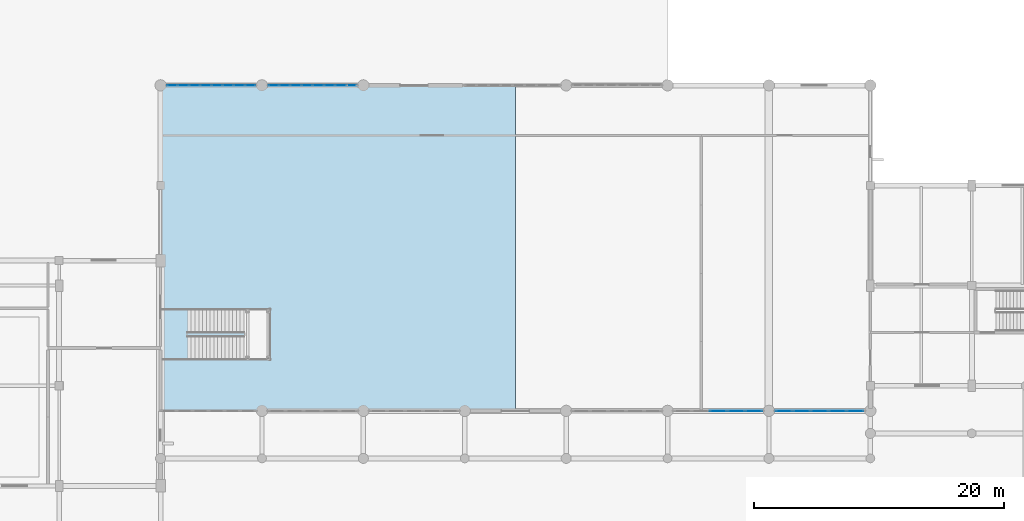
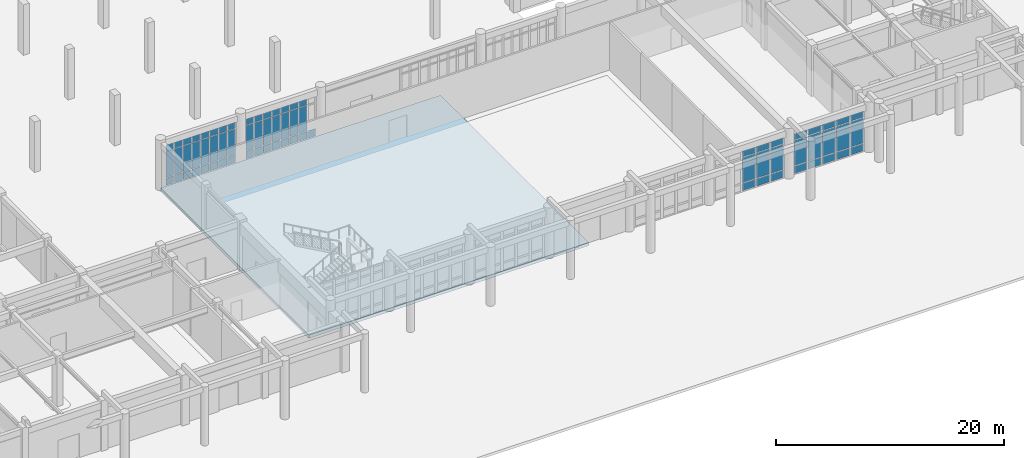
# One storey, part 32 of 62: 70 plates, 1 slab, 4 elements without a shape of their own.
"""IFC4 building model written with IfcOpenShell, lengths in metres."""

from ifc_helpers import new_model, si_unit, direction, frame, origin, origin_2d, place, context, subcontext, project, spatial, polyline, rectangle, outline, extrude, material, layer, layer_set, type_object, element, aggregate, save


model = new_model("IFC4")

# Units and contexts
model_context = context("Model", 3, precision=1e-05, world=origin(), true_north=direction((0.0, 1.0)))
body_context = subcontext(model_context, "Body", "Model", "MODEL_VIEW")
ifc_project = project(units=[si_unit("LENGTHUNIT", "METRE"), si_unit("AREAUNIT", "SQUARE_METRE"), si_unit("VOLUMEUNIT", "CUBIC_METRE"), si_unit("PLANEANGLEUNIT", "RADIAN"), si_unit("MASSUNIT", "GRAM", prefix="KILO")], contexts=[model_context])

# Site, building, storey
site_placement = place(None, origin())
site = spatial("IfcSite", under=ifc_project, at=site_placement, CompositionType="ELEMENT")
building_placement = place(site_placement, origin())
building = spatial("IfcBuilding", under=site, at=building_placement, Name="Tarnveldt Square Police Headquarters", CompositionType="ELEMENT")
storey_placement = place(building_placement, origin())
storey = spatial("IfcBuildingStorey", under=building, at=storey_placement, Name="L00", CompositionType="ELEMENT", Elevation=0.0)

# Curtain wall, plates
ifc_material_1 = material(Name="Triple-glazed low-e laminated vision glass", Category="glass")
curtain_wall_type_1 = type_object("IfcCurtainWallType", Name="CW-EH-717x441", PredefinedType="USERDEFINED", material=ifc_material_1)
curtain_wall_1_placement = place(storey_placement, origin())
curtain_wall_1 = element("IfcCurtainWall", 1, at=curtain_wall_1_placement, inside=storey, type_object=curtain_wall_type_1, Name="L00 Curtain Wall CW-L00-005", ObjectType="GLAZED CURTAIN WALL", PredefinedType="USERDEFINED")
ifc_material_2 = material(Name="UL 752 Level III laminated ballistic vision glass", Category="glass")
ifc_layer_1 = layer(ifc_material_2, 0.0380859375)
ifc_layer_set_1 = layer_set([ifc_layer_1], Name="UL 752 Level III laminated ballistic vision glass")
plate_type_1 = type_object("IfcPlateType", Name="CWP-BAL-38", PredefinedType="CURTAIN_PANEL", material=ifc_layer_set_1)
plate_1_placement = place(storey_placement, frame((109.35009765625, 22.0, 0.0849609375), z_axis=(0.0, 0.0, 1.0), x_axis=(1.0, 0.0, 0.0)))
plate_1 = element("IfcPlate", 2, at=plate_1_placement, type_object=plate_type_1, Name="CW-EH03 panel 3.1", PredefinedType="CURTAIN_PANEL", context=body_context, shape_type="SweptSolid", body=[
    extrude(rectangle(XDim=1.343994140625, YDim=0.0380859375, at=origin_2d()), origin(), (0.0, 0.0, 1.0), 0.7724609375),
])
plate_2_placement = place(storey_placement, frame((109.35009765625, 22.0, 0.9423828125), z_axis=(0.0, 0.0, 1.0), x_axis=(1.0, 0.0, 0.0)))
plate_2 = element("IfcPlate", 3, at=plate_2_placement, type_object=plate_type_1, Name="CW-EH03 panel 3.2", PredefinedType="CURTAIN_PANEL", context=body_context, shape_type="SweptSolid", body=[
    extrude(rectangle(XDim=1.343994140625, YDim=0.0380859375, at=origin_2d()), origin(), (0.0, 0.0, 1.0), 2.677001953125),
])
plate_3_placement = place(storey_placement, frame((109.35009765625, 22.0, 3.70458984375), z_axis=(0.0, 0.0, 1.0), x_axis=(1.0, 0.0, 0.0)))
plate_3 = element("IfcPlate", 4, at=plate_3_placement, type_object=plate_type_1, Name="CW-EH03 panel 3.3", PredefinedType="CURTAIN_PANEL", context=body_context, shape_type="SweptSolid", body=[
    extrude(rectangle(XDim=1.343994140625, YDim=0.0380859375, at=origin_2d()), origin(), (0.0, 0.0, 1.0), 0.62255859375),
])
plate_4_placement = place(storey_placement, frame((110.783935546875, 22.0, 0.0849609375), z_axis=(0.0, 0.0, 1.0), x_axis=(1.0, 0.0, 0.0)))
plate_4 = element("IfcPlate", 5, at=plate_4_placement, type_object=plate_type_1, Name="CW-EH03 panel 4.1", PredefinedType="CURTAIN_PANEL", context=body_context, shape_type="SweptSolid", body=[
    extrude(rectangle(XDim=1.343994140625, YDim=0.0380859375, at=origin_2d()), origin(), (0.0, 0.0, 1.0), 0.7724609375),
])
plate_5_placement = place(storey_placement, frame((110.783935546875, 22.0, 0.9423828125), z_axis=(0.0, 0.0, 1.0), x_axis=(1.0, 0.0, 0.0)))
plate_5 = element("IfcPlate", 6, at=plate_5_placement, type_object=plate_type_1, Name="CW-EH03 panel 4.2", PredefinedType="CURTAIN_PANEL", context=body_context, shape_type="SweptSolid", body=[
    extrude(rectangle(XDim=1.343994140625, YDim=0.0380859375, at=origin_2d()), origin(), (0.0, 0.0, 1.0), 2.677001953125),
])
plate_6_placement = place(storey_placement, frame((110.783935546875, 22.0, 3.70458984375), z_axis=(0.0, 0.0, 1.0), x_axis=(1.0, 0.0, 0.0)))
plate_6 = element("IfcPlate", 7, at=plate_6_placement, type_object=plate_type_1, Name="CW-EH03 panel 4.3", PredefinedType="CURTAIN_PANEL", context=body_context, shape_type="SweptSolid", body=[
    extrude(rectangle(XDim=1.343994140625, YDim=0.0380859375, at=origin_2d()), origin(), (0.0, 0.0, 1.0), 0.62255859375),
])
plate_7_placement = place(storey_placement, frame((112.195556640625, 22.0, 0.0849609375), z_axis=(0.0, 0.0, 1.0), x_axis=(1.0, 0.0, 0.0)))
plate_7 = element("IfcPlate", 8, at=plate_7_placement, type_object=plate_type_1, Name="CW-EH03 panel 5.1", PredefinedType="CURTAIN_PANEL", context=body_context, shape_type="SweptSolid", body=[
    extrude(rectangle(XDim=1.299072265625, YDim=0.0380859375, at=origin_2d()), origin(), (0.0, 0.0, 1.0), 0.7724609375),
])
plate_8_placement = place(storey_placement, frame((112.195556640625, 22.0, 0.9423828125), z_axis=(0.0, 0.0, 1.0), x_axis=(1.0, 0.0, 0.0)))
plate_8 = element("IfcPlate", 9, at=plate_8_placement, type_object=plate_type_1, Name="CW-EH03 panel 5.2", PredefinedType="CURTAIN_PANEL", context=body_context, shape_type="SweptSolid", body=[
    extrude(rectangle(XDim=1.299072265625, YDim=0.0380859375, at=origin_2d()), origin(), (0.0, 0.0, 1.0), 2.677001953125),
])
plate_9_placement = place(storey_placement, frame((112.195556640625, 22.0, 3.70458984375), z_axis=(0.0, 0.0, 1.0), x_axis=(1.0, 0.0, 0.0)))
plate_9 = element("IfcPlate", 10, at=plate_9_placement, type_object=plate_type_1, Name="CW-EH03 panel 5.3", PredefinedType="CURTAIN_PANEL", context=body_context, shape_type="SweptSolid", body=[
    extrude(rectangle(XDim=1.299072265625, YDim=0.0380859375, at=origin_2d()), origin(), (0.0, 0.0, 1.0), 0.62255859375),
])
aggregate(curtain_wall_1, [plate_1, plate_2, plate_3, plate_4, plate_5, plate_6, plate_7, plate_8, plate_9])

curtain_wall_2_placement = place(storey_placement, origin())
curtain_wall_2 = element("IfcCurtainWall", 11, at=curtain_wall_2_placement, inside=storey, type_object=curtain_wall_type_1, Name="L00 Curtain Wall CW-L00-006", ObjectType="GLAZED CURTAIN WALL", PredefinedType="USERDEFINED")
plate_10_placement = place(storey_placement, frame((114.6044921875, 22.0, 0.0849609375), z_axis=(0.0, 0.0, 1.0), x_axis=(1.0, 0.0, 0.0)))
plate_10 = element("IfcPlate", 12, at=plate_10_placement, type_object=plate_type_1, Name="CW-EH03 panel 1.1", PredefinedType="CURTAIN_PANEL", context=body_context, shape_type="SweptSolid", body=[
    extrude(rectangle(XDim=1.299072265625, YDim=0.0380859375, at=origin_2d()), origin(), (0.0, 0.0, 1.0), 0.7724609375),
])
plate_11_placement = place(storey_placement, frame((114.6044921875, 22.0, 0.9423828125), z_axis=(0.0, 0.0, 1.0), x_axis=(1.0, 0.0, 0.0)))
plate_11 = element("IfcPlate", 13, at=plate_11_placement, type_object=plate_type_1, Name="CW-EH03 panel 1.2", PredefinedType="CURTAIN_PANEL", context=body_context, shape_type="SweptSolid", body=[
    extrude(rectangle(XDim=1.299072265625, YDim=0.0380859375, at=origin_2d()), origin(), (0.0, 0.0, 1.0), 2.677001953125),
])
plate_12_placement = place(storey_placement, frame((114.6044921875, 22.0, 3.70458984375), z_axis=(0.0, 0.0, 1.0), x_axis=(1.0, 0.0, 0.0)))
plate_12 = element("IfcPlate", 14, at=plate_12_placement, type_object=plate_type_1, Name="CW-EH03 panel 1.3", PredefinedType="CURTAIN_PANEL", context=body_context, shape_type="SweptSolid", body=[
    extrude(rectangle(XDim=1.299072265625, YDim=0.0380859375, at=origin_2d()), origin(), (0.0, 0.0, 1.0), 0.62255859375),
])
plate_13_placement = place(storey_placement, frame((116.01611328125, 22.0, 0.0849609375), z_axis=(0.0, 0.0, 1.0), x_axis=(1.0, 0.0, 0.0)))
plate_13 = element("IfcPlate", 15, at=plate_13_placement, type_object=plate_type_1, Name="CW-EH03 panel 2.1", PredefinedType="CURTAIN_PANEL", context=body_context, shape_type="SweptSolid", body=[
    extrude(rectangle(XDim=1.343994140625, YDim=0.0380859375, at=origin_2d()), origin(), (0.0, 0.0, 1.0), 0.7724609375),
])
plate_14_placement = place(storey_placement, frame((116.01611328125, 22.0, 0.9423828125), z_axis=(0.0, 0.0, 1.0), x_axis=(1.0, 0.0, 0.0)))
plate_14 = element("IfcPlate", 16, at=plate_14_placement, type_object=plate_type_1, Name="CW-EH03 panel 2.2", PredefinedType="CURTAIN_PANEL", context=body_context, shape_type="SweptSolid", body=[
    extrude(rectangle(XDim=1.343994140625, YDim=0.0380859375, at=origin_2d()), origin(), (0.0, 0.0, 1.0), 2.677001953125),
])
plate_15_placement = place(storey_placement, frame((116.01611328125, 22.0, 3.70458984375), z_axis=(0.0, 0.0, 1.0), x_axis=(1.0, 0.0, 0.0)))
plate_15 = element("IfcPlate", 17, at=plate_15_placement, type_object=plate_type_1, Name="CW-EH03 panel 2.3", PredefinedType="CURTAIN_PANEL", context=body_context, shape_type="SweptSolid", body=[
    extrude(rectangle(XDim=1.343994140625, YDim=0.0380859375, at=origin_2d()), origin(), (0.0, 0.0, 1.0), 0.62255859375),
])
plate_16_placement = place(storey_placement, frame((117.449951171875, 22.0, 0.0849609375), z_axis=(0.0, 0.0, 1.0), x_axis=(1.0, 0.0, 0.0)))
plate_16 = element("IfcPlate", 18, at=plate_16_placement, type_object=plate_type_1, Name="CW-EH03 panel 3.1", PredefinedType="CURTAIN_PANEL", context=body_context, shape_type="SweptSolid", body=[
    extrude(rectangle(XDim=1.343994140625, YDim=0.0380859375, at=origin_2d()), origin(), (0.0, 0.0, 1.0), 0.7724609375),
])
plate_17_placement = place(storey_placement, frame((117.449951171875, 22.0, 0.9423828125), z_axis=(0.0, 0.0, 1.0), x_axis=(1.0, 0.0, 0.0)))
plate_17 = element("IfcPlate", 19, at=plate_17_placement, type_object=plate_type_1, Name="CW-EH03 panel 3.2", PredefinedType="CURTAIN_PANEL", context=body_context, shape_type="SweptSolid", body=[
    extrude(rectangle(XDim=1.343994140625, YDim=0.0380859375, at=origin_2d()), origin(), (0.0, 0.0, 1.0), 2.677001953125),
])
plate_18_placement = place(storey_placement, frame((117.449951171875, 22.0, 3.70458984375), z_axis=(0.0, 0.0, 1.0), x_axis=(1.0, 0.0, 0.0)))
plate_18 = element("IfcPlate", 20, at=plate_18_placement, type_object=plate_type_1, Name="CW-EH03 panel 3.3", PredefinedType="CURTAIN_PANEL", context=body_context, shape_type="SweptSolid", body=[
    extrude(rectangle(XDim=1.343994140625, YDim=0.0380859375, at=origin_2d()), origin(), (0.0, 0.0, 1.0), 0.62255859375),
])
plate_19_placement = place(storey_placement, frame((118.884033203125, 22.0, 0.0849609375), z_axis=(0.0, 0.0, 1.0), x_axis=(1.0, 0.0, 0.0)))
plate_19 = element("IfcPlate", 21, at=plate_19_placement, type_object=plate_type_1, Name="CW-EH03 panel 4.1", PredefinedType="CURTAIN_PANEL", context=body_context, shape_type="SweptSolid", body=[
    extrude(rectangle(XDim=1.343994140625, YDim=0.0380859375, at=origin_2d()), origin(), (0.0, 0.0, 1.0), 0.7724609375),
])
plate_20_placement = place(storey_placement, frame((118.884033203125, 22.0, 0.9423828125), z_axis=(0.0, 0.0, 1.0), x_axis=(1.0, 0.0, 0.0)))
plate_20 = element("IfcPlate", 22, at=plate_20_placement, type_object=plate_type_1, Name="CW-EH03 panel 4.2", PredefinedType="CURTAIN_PANEL", context=body_context, shape_type="SweptSolid", body=[
    extrude(rectangle(XDim=1.343994140625, YDim=0.0380859375, at=origin_2d()), origin(), (0.0, 0.0, 1.0), 2.677001953125),
])
plate_21_placement = place(storey_placement, frame((118.884033203125, 22.0, 3.70458984375), z_axis=(0.0, 0.0, 1.0), x_axis=(1.0, 0.0, 0.0)))
plate_21 = element("IfcPlate", 23, at=plate_21_placement, type_object=plate_type_1, Name="CW-EH03 panel 4.3", PredefinedType="CURTAIN_PANEL", context=body_context, shape_type="SweptSolid", body=[
    extrude(rectangle(XDim=1.343994140625, YDim=0.0380859375, at=origin_2d()), origin(), (0.0, 0.0, 1.0), 0.62255859375),
])
plate_22_placement = place(storey_placement, frame((120.29541015625, 22.0, 0.0849609375), z_axis=(0.0, 0.0, 1.0), x_axis=(1.0, 0.0, 0.0)))
plate_22 = element("IfcPlate", 24, at=plate_22_placement, type_object=plate_type_1, Name="CW-EH03 panel 5.1", PredefinedType="CURTAIN_PANEL", context=body_context, shape_type="SweptSolid", body=[
    extrude(rectangle(XDim=1.299072265625, YDim=0.0380859375, at=origin_2d()), origin(), (0.0, 0.0, 1.0), 0.7724609375),
])
plate_23_placement = place(storey_placement, frame((120.29541015625, 22.0, 0.9423828125), z_axis=(0.0, 0.0, 1.0), x_axis=(1.0, 0.0, 0.0)))
plate_23 = element("IfcPlate", 25, at=plate_23_placement, type_object=plate_type_1, Name="CW-EH03 panel 5.2", PredefinedType="CURTAIN_PANEL", context=body_context, shape_type="SweptSolid", body=[
    extrude(rectangle(XDim=1.299072265625, YDim=0.0380859375, at=origin_2d()), origin(), (0.0, 0.0, 1.0), 2.677001953125),
])
plate_24_placement = place(storey_placement, frame((120.29541015625, 22.0, 3.70458984375), z_axis=(0.0, 0.0, 1.0), x_axis=(1.0, 0.0, 0.0)))
plate_24 = element("IfcPlate", 26, at=plate_24_placement, type_object=plate_type_1, Name="CW-EH03 panel 5.3", PredefinedType="CURTAIN_PANEL", context=body_context, shape_type="SweptSolid", body=[
    extrude(rectangle(XDim=1.299072265625, YDim=0.0380859375, at=origin_2d()), origin(), (0.0, 0.0, 1.0), 0.62255859375),
])
aggregate(curtain_wall_2, [plate_10, plate_11, plate_12, plate_13, plate_14, plate_15, plate_16, plate_17, plate_18, plate_19, plate_20, plate_21, plate_22, plate_23, plate_24])

curtain_wall_type_2 = type_object("IfcCurtainWallType", Name="CW-CT-717x446", PredefinedType="USERDEFINED", material=ifc_material_1)
curtain_wall_3_placement = place(storey_placement, origin())
curtain_wall_3 = element("IfcCurtainWall", 27, at=curtain_wall_3_placement, inside=storey, type_object=curtain_wall_type_2, Name="L00 Curtain Wall CW-L00-014", ObjectType="GLAZED CURTAIN WALL", PredefinedType="USERDEFINED")
ifc_layer_2 = layer(ifc_material_1, 0.028076171875)
ifc_layer_set_2 = layer_set([ifc_layer_2], Name="Triple-glazed low-e laminated vision glass")
plate_type_2 = type_object("IfcPlateType", Name="CWP-VIS-28", PredefinedType="CURTAIN_PANEL", material=ifc_layer_set_2)
plate_25_placement = place(storey_placement, frame((65.73193359375, 48.0, 0.074951171875), z_axis=(0.0, 0.0, 1.0), x_axis=(1.0, 0.0, 0.0)))
plate_25 = element("IfcPlate", 28, at=plate_25_placement, type_object=plate_type_2, Name="CW-CT06 panel 1.1", PredefinedType="CURTAIN_PANEL", context=body_context, shape_type="SweptSolid", body=[
    extrude(rectangle(XDim=0.78369140625, YDim=0.028076171875, at=origin_2d()), origin(), (0.0, 0.0, 1.0), 0.78759765625),
])
plate_26_placement = place(storey_placement, frame((65.73193359375, 48.0, 0.9375), z_axis=(0.0, 0.0, 1.0), x_axis=(1.0, 0.0, 0.0)))
plate_26 = element("IfcPlate", 29, at=plate_26_placement, type_object=plate_type_2, Name="CW-CT06 panel 1.2", PredefinedType="CURTAIN_PANEL", context=body_context, shape_type="SweptSolid", body=[
    extrude(rectangle(XDim=0.78369140625, YDim=0.028076171875, at=origin_2d()), origin(), (0.0, 0.0, 1.0), 2.737060546875),
])
plate_27_placement = place(storey_placement, frame((65.73193359375, 48.0, 3.74951171875), z_axis=(0.0, 0.0, 1.0), x_axis=(1.0, 0.0, 0.0)))
plate_27 = element("IfcPlate", 30, at=plate_27_placement, type_object=plate_type_2, Name="CW-CT06 panel 1.3", PredefinedType="CURTAIN_PANEL", context=body_context, shape_type="SweptSolid", body=[
    extrude(rectangle(XDim=0.78369140625, YDim=0.028076171875, at=origin_2d()), origin(), (0.0, 0.0, 1.0), 0.637451171875),
])
plate_28_placement = place(storey_placement, frame((66.609375, 48.0, 0.074951171875), z_axis=(0.0, 0.0, 1.0), x_axis=(1.0, 0.0, 0.0)))
plate_28 = element("IfcPlate", 31, at=plate_28_placement, type_object=plate_type_2, Name="CW-CT06 panel 2.1", PredefinedType="CURTAIN_PANEL", context=body_context, shape_type="SweptSolid", body=[
    extrude(rectangle(XDim=0.8212890625, YDim=0.028076171875, at=origin_2d()), origin(), (0.0, 0.0, 1.0), 0.78759765625),
])
plate_29_placement = place(storey_placement, frame((66.609375, 48.0, 0.9375), z_axis=(0.0, 0.0, 1.0), x_axis=(1.0, 0.0, 0.0)))
plate_29 = element("IfcPlate", 32, at=plate_29_placement, type_object=plate_type_2, Name="CW-CT06 panel 2.2", PredefinedType="CURTAIN_PANEL", context=body_context, shape_type="SweptSolid", body=[
    extrude(rectangle(XDim=0.8212890625, YDim=0.028076171875, at=origin_2d()), origin(), (0.0, 0.0, 1.0), 2.737060546875),
])
plate_30_placement = place(storey_placement, frame((66.609375, 48.0, 3.74951171875), z_axis=(0.0, 0.0, 1.0), x_axis=(1.0, 0.0, 0.0)))
plate_30 = element("IfcPlate", 33, at=plate_30_placement, type_object=plate_type_2, Name="CW-CT06 panel 2.3", PredefinedType="CURTAIN_PANEL", context=body_context, shape_type="SweptSolid", body=[
    extrude(rectangle(XDim=0.8212890625, YDim=0.028076171875, at=origin_2d()), origin(), (0.0, 0.0, 1.0), 0.637451171875),
])
plate_31_placement = place(storey_placement, frame((67.505615234375, 48.0, 0.074951171875), z_axis=(0.0, 0.0, 1.0), x_axis=(1.0, 0.0, 0.0)))
plate_31 = element("IfcPlate", 34, at=plate_31_placement, type_object=plate_type_2, Name="CW-CT06 panel 3.1", PredefinedType="CURTAIN_PANEL", context=body_context, shape_type="SweptSolid", body=[
    extrude(rectangle(XDim=0.8212890625, YDim=0.028076171875, at=origin_2d()), origin(), (0.0, 0.0, 1.0), 0.78759765625),
])
plate_32_placement = place(storey_placement, frame((67.505615234375, 48.0, 0.9375), z_axis=(0.0, 0.0, 1.0), x_axis=(1.0, 0.0, 0.0)))
plate_32 = element("IfcPlate", 35, at=plate_32_placement, type_object=plate_type_2, Name="CW-CT06 panel 3.2", PredefinedType="CURTAIN_PANEL", context=body_context, shape_type="SweptSolid", body=[
    extrude(rectangle(XDim=0.8212890625, YDim=0.028076171875, at=origin_2d()), origin(), (0.0, 0.0, 1.0), 2.737060546875),
])
plate_33_placement = place(storey_placement, frame((67.505615234375, 48.0, 3.74951171875), z_axis=(0.0, 0.0, 1.0), x_axis=(1.0, 0.0, 0.0)))
plate_33 = element("IfcPlate", 36, at=plate_33_placement, type_object=plate_type_2, Name="CW-CT06 panel 3.3", PredefinedType="CURTAIN_PANEL", context=body_context, shape_type="SweptSolid", body=[
    extrude(rectangle(XDim=0.8212890625, YDim=0.028076171875, at=origin_2d()), origin(), (0.0, 0.0, 1.0), 0.637451171875),
])
plate_34_placement = place(storey_placement, frame((68.40185546875, 48.0, 0.074951171875), z_axis=(0.0, 0.0, 1.0), x_axis=(1.0, 0.0, 0.0)))
plate_34 = element("IfcPlate", 37, at=plate_34_placement, type_object=plate_type_2, Name="CW-CT06 panel 4.1", PredefinedType="CURTAIN_PANEL", context=body_context, shape_type="SweptSolid", body=[
    extrude(rectangle(XDim=0.8212890625, YDim=0.028076171875, at=origin_2d()), origin(), (0.0, 0.0, 1.0), 0.78759765625),
])
plate_35_placement = place(storey_placement, frame((68.40185546875, 48.0, 0.9375), z_axis=(0.0, 0.0, 1.0), x_axis=(1.0, 0.0, 0.0)))
plate_35 = element("IfcPlate", 38, at=plate_35_placement, type_object=plate_type_2, Name="CW-CT06 panel 4.2", PredefinedType="CURTAIN_PANEL", context=body_context, shape_type="SweptSolid", body=[
    extrude(rectangle(XDim=0.8212890625, YDim=0.028076171875, at=origin_2d()), origin(), (0.0, 0.0, 1.0), 2.737060546875),
])
plate_36_placement = place(storey_placement, frame((68.40185546875, 48.0, 3.74951171875), z_axis=(0.0, 0.0, 1.0), x_axis=(1.0, 0.0, 0.0)))
plate_36 = element("IfcPlate", 39, at=plate_36_placement, type_object=plate_type_2, Name="CW-CT06 panel 4.3", PredefinedType="CURTAIN_PANEL", context=body_context, shape_type="SweptSolid", body=[
    extrude(rectangle(XDim=0.8212890625, YDim=0.028076171875, at=origin_2d()), origin(), (0.0, 0.0, 1.0), 0.637451171875),
])
plate_37_placement = place(storey_placement, frame((69.298095703125, 48.0, 0.074951171875), z_axis=(0.0, 0.0, 1.0), x_axis=(1.0, 0.0, 0.0)))
plate_37 = element("IfcPlate", 40, at=plate_37_placement, type_object=plate_type_2, Name="CW-CT06 panel 5.1", PredefinedType="CURTAIN_PANEL", context=body_context, shape_type="SweptSolid", body=[
    extrude(rectangle(XDim=0.8212890625, YDim=0.028076171875, at=origin_2d()), origin(), (0.0, 0.0, 1.0), 0.78759765625),
])
plate_38_placement = place(storey_placement, frame((69.298095703125, 48.0, 0.9375), z_axis=(0.0, 0.0, 1.0), x_axis=(1.0, 0.0, 0.0)))
plate_38 = element("IfcPlate", 41, at=plate_38_placement, type_object=plate_type_2, Name="CW-CT06 panel 5.2", PredefinedType="CURTAIN_PANEL", context=body_context, shape_type="SweptSolid", body=[
    extrude(rectangle(XDim=0.8212890625, YDim=0.028076171875, at=origin_2d()), origin(), (0.0, 0.0, 1.0), 2.737060546875),
])
plate_39_placement = place(storey_placement, frame((69.298095703125, 48.0, 3.74951171875), z_axis=(0.0, 0.0, 1.0), x_axis=(1.0, 0.0, 0.0)))
plate_39 = element("IfcPlate", 42, at=plate_39_placement, type_object=plate_type_2, Name="CW-CT06 panel 5.3", PredefinedType="CURTAIN_PANEL", context=body_context, shape_type="SweptSolid", body=[
    extrude(rectangle(XDim=0.8212890625, YDim=0.028076171875, at=origin_2d()), origin(), (0.0, 0.0, 1.0), 0.637451171875),
])
plate_40_placement = place(storey_placement, frame((70.1943359375, 48.0, 0.074951171875), z_axis=(0.0, 0.0, 1.0), x_axis=(1.0, 0.0, 0.0)))
plate_40 = element("IfcPlate", 43, at=plate_40_placement, type_object=plate_type_2, Name="CW-CT06 panel 6.1", PredefinedType="CURTAIN_PANEL", context=body_context, shape_type="SweptSolid", body=[
    extrude(rectangle(XDim=0.8212890625, YDim=0.028076171875, at=origin_2d()), origin(), (0.0, 0.0, 1.0), 0.78759765625),
])
plate_41_placement = place(storey_placement, frame((70.1943359375, 48.0, 0.9375), z_axis=(0.0, 0.0, 1.0), x_axis=(1.0, 0.0, 0.0)))
plate_41 = element("IfcPlate", 44, at=plate_41_placement, type_object=plate_type_2, Name="CW-CT06 panel 6.2", PredefinedType="CURTAIN_PANEL", context=body_context, shape_type="SweptSolid", body=[
    extrude(rectangle(XDim=0.8212890625, YDim=0.028076171875, at=origin_2d()), origin(), (0.0, 0.0, 1.0), 2.737060546875),
])
plate_42_placement = place(storey_placement, frame((70.1943359375, 48.0, 3.74951171875), z_axis=(0.0, 0.0, 1.0), x_axis=(1.0, 0.0, 0.0)))
plate_42 = element("IfcPlate", 45, at=plate_42_placement, type_object=plate_type_2, Name="CW-CT06 panel 6.3", PredefinedType="CURTAIN_PANEL", context=body_context, shape_type="SweptSolid", body=[
    extrude(rectangle(XDim=0.8212890625, YDim=0.028076171875, at=origin_2d()), origin(), (0.0, 0.0, 1.0), 0.637451171875),
])
plate_43_placement = place(storey_placement, frame((71.090576171875, 48.0, 0.074951171875), z_axis=(0.0, 0.0, 1.0), x_axis=(1.0, 0.0, 0.0)))
plate_43 = element("IfcPlate", 46, at=plate_43_placement, type_object=plate_type_2, Name="CW-CT06 panel 7.1", PredefinedType="CURTAIN_PANEL", context=body_context, shape_type="SweptSolid", body=[
    extrude(rectangle(XDim=0.8212890625, YDim=0.028076171875, at=origin_2d()), origin(), (0.0, 0.0, 1.0), 0.78759765625),
])
plate_44_placement = place(storey_placement, frame((71.090576171875, 48.0, 0.9375), z_axis=(0.0, 0.0, 1.0), x_axis=(1.0, 0.0, 0.0)))
plate_44 = element("IfcPlate", 47, at=plate_44_placement, type_object=plate_type_2, Name="CW-CT06 panel 7.2", PredefinedType="CURTAIN_PANEL", context=body_context, shape_type="SweptSolid", body=[
    extrude(rectangle(XDim=0.8212890625, YDim=0.028076171875, at=origin_2d()), origin(), (0.0, 0.0, 1.0), 2.737060546875),
])
plate_45_placement = place(storey_placement, frame((71.090576171875, 48.0, 3.74951171875), z_axis=(0.0, 0.0, 1.0), x_axis=(1.0, 0.0, 0.0)))
plate_45 = element("IfcPlate", 48, at=plate_45_placement, type_object=plate_type_2, Name="CW-CT06 panel 7.3", PredefinedType="CURTAIN_PANEL", context=body_context, shape_type="SweptSolid", body=[
    extrude(rectangle(XDim=0.8212890625, YDim=0.028076171875, at=origin_2d()), origin(), (0.0, 0.0, 1.0), 0.637451171875),
])
plate_46_placement = place(storey_placement, frame((71.968017578125, 48.0, 0.074951171875), z_axis=(0.0, 0.0, 1.0), x_axis=(1.0, 0.0, 0.0)))
plate_46 = element("IfcPlate", 49, at=plate_46_placement, type_object=plate_type_2, Name="CW-CT06 panel 8.1", PredefinedType="CURTAIN_PANEL", context=body_context, shape_type="SweptSolid", body=[
    extrude(rectangle(XDim=0.78369140625, YDim=0.028076171875, at=origin_2d()), origin(), (0.0, 0.0, 1.0), 0.78759765625),
])
plate_47_placement = place(storey_placement, frame((71.968017578125, 48.0, 0.9375), z_axis=(0.0, 0.0, 1.0), x_axis=(1.0, 0.0, 0.0)))
plate_47 = element("IfcPlate", 50, at=plate_47_placement, type_object=plate_type_2, Name="CW-CT06 panel 8.2", PredefinedType="CURTAIN_PANEL", context=body_context, shape_type="SweptSolid", body=[
    extrude(rectangle(XDim=0.78369140625, YDim=0.028076171875, at=origin_2d()), origin(), (0.0, 0.0, 1.0), 2.737060546875),
])
plate_48_placement = place(storey_placement, frame((71.968017578125, 48.0, 3.74951171875), z_axis=(0.0, 0.0, 1.0), x_axis=(1.0, 0.0, 0.0)))
plate_48 = element("IfcPlate", 51, at=plate_48_placement, type_object=plate_type_2, Name="CW-CT06 panel 8.3", PredefinedType="CURTAIN_PANEL", context=body_context, shape_type="SweptSolid", body=[
    extrude(rectangle(XDim=0.78369140625, YDim=0.028076171875, at=origin_2d()), origin(), (0.0, 0.0, 1.0), 0.637451171875),
])
aggregate(curtain_wall_3, [plate_25, plate_26, plate_27, plate_28, plate_29, plate_30, plate_31, plate_32, plate_33, plate_34, plate_35, plate_36, plate_37, plate_38, plate_39, plate_40, plate_41, plate_42, plate_43, plate_44, plate_45, plate_46, plate_47, plate_48])

curtain_wall_type_3 = type_object("IfcCurtainWallType", Name="CW-CT-717x441", PredefinedType="USERDEFINED", material=ifc_material_1)
curtain_wall_4_placement = place(storey_placement, origin())
curtain_wall_4 = element("IfcCurtainWall", 52, at=curtain_wall_4_placement, inside=storey, type_object=curtain_wall_type_3, Name="L00 Curtain Wall CW-L00-015", ObjectType="GLAZED CURTAIN WALL", PredefinedType="USERDEFINED")
plate_49_placement = place(storey_placement, frame((73.831787109375, 48.0, 0.074951171875), z_axis=(0.0, 0.0, 1.0), x_axis=(1.0, 0.0, 0.0)))
plate_49 = element("IfcPlate", 53, at=plate_49_placement, type_object=plate_type_2, Name="CW-CT07 panel 1.1", PredefinedType="CURTAIN_PANEL", context=body_context, shape_type="SweptSolid", body=[
    extrude(rectangle(XDim=0.78369140625, YDim=0.028076171875, at=origin_2d()), origin(), (0.0, 0.0, 1.0), 0.78759765625),
])
plate_50_placement = place(storey_placement, frame((73.831787109375, 48.0, 0.9375), z_axis=(0.0, 0.0, 1.0), x_axis=(1.0, 0.0, 0.0)))
plate_50 = element("IfcPlate", 54, at=plate_50_placement, type_object=plate_type_2, Name="CW-CT07 panel 1.2", PredefinedType="CURTAIN_PANEL", context=body_context, shape_type="SweptSolid", body=[
    extrude(rectangle(XDim=0.78369140625, YDim=0.028076171875, at=origin_2d()), origin(), (0.0, 0.0, 1.0), 2.68701171875),
])
plate_51_placement = place(storey_placement, frame((73.831787109375, 48.0, 3.69970703125), z_axis=(0.0, 0.0, 1.0), x_axis=(1.0, 0.0, 0.0)))
plate_51 = element("IfcPlate", 55, at=plate_51_placement, type_object=plate_type_2, Name="CW-CT07 panel 1.3", PredefinedType="CURTAIN_PANEL", context=body_context, shape_type="SweptSolid", body=[
    extrude(rectangle(XDim=0.78369140625, YDim=0.028076171875, at=origin_2d()), origin(), (0.0, 0.0, 1.0), 0.637451171875),
])
plate_52_placement = place(storey_placement, frame((74.70947265625, 48.0, 0.074951171875), z_axis=(0.0, 0.0, 1.0), x_axis=(1.0, 0.0, 0.0)))
plate_52 = element("IfcPlate", 56, at=plate_52_placement, type_object=plate_type_2, Name="CW-CT07 panel 2.1", PredefinedType="CURTAIN_PANEL", context=body_context, shape_type="SweptSolid", body=[
    extrude(rectangle(XDim=0.8212890625, YDim=0.028076171875, at=origin_2d()), origin(), (0.0, 0.0, 1.0), 0.78759765625),
])
plate_53_placement = place(storey_placement, frame((74.70947265625, 48.0, 0.9375), z_axis=(0.0, 0.0, 1.0), x_axis=(1.0, 0.0, 0.0)))
plate_53 = element("IfcPlate", 57, at=plate_53_placement, type_object=plate_type_2, Name="CW-CT07 panel 2.2", PredefinedType="CURTAIN_PANEL", context=body_context, shape_type="SweptSolid", body=[
    extrude(rectangle(XDim=0.8212890625, YDim=0.028076171875, at=origin_2d()), origin(), (0.0, 0.0, 1.0), 2.68701171875),
])
plate_54_placement = place(storey_placement, frame((74.70947265625, 48.0, 3.69970703125), z_axis=(0.0, 0.0, 1.0), x_axis=(1.0, 0.0, 0.0)))
plate_54 = element("IfcPlate", 58, at=plate_54_placement, type_object=plate_type_2, Name="CW-CT07 panel 2.3", PredefinedType="CURTAIN_PANEL", context=body_context, shape_type="SweptSolid", body=[
    extrude(rectangle(XDim=0.8212890625, YDim=0.028076171875, at=origin_2d()), origin(), (0.0, 0.0, 1.0), 0.637451171875),
])
plate_55_placement = place(storey_placement, frame((75.605712890625, 48.0, 0.074951171875), z_axis=(0.0, 0.0, 1.0), x_axis=(1.0, 0.0, 0.0)))
plate_55 = element("IfcPlate", 59, at=plate_55_placement, type_object=plate_type_2, Name="CW-CT07 panel 3.1", PredefinedType="CURTAIN_PANEL", context=body_context, shape_type="SweptSolid", body=[
    extrude(rectangle(XDim=0.8212890625, YDim=0.028076171875, at=origin_2d()), origin(), (0.0, 0.0, 1.0), 0.78759765625),
])
plate_56_placement = place(storey_placement, frame((75.605712890625, 48.0, 0.9375), z_axis=(0.0, 0.0, 1.0), x_axis=(1.0, 0.0, 0.0)))
plate_56 = element("IfcPlate", 60, at=plate_56_placement, type_object=plate_type_2, Name="CW-CT07 panel 3.2", PredefinedType="CURTAIN_PANEL", context=body_context, shape_type="SweptSolid", body=[
    extrude(rectangle(XDim=0.8212890625, YDim=0.028076171875, at=origin_2d()), origin(), (0.0, 0.0, 1.0), 2.68701171875),
])
plate_57_placement = place(storey_placement, frame((75.605712890625, 48.0, 3.69970703125), z_axis=(0.0, 0.0, 1.0), x_axis=(1.0, 0.0, 0.0)))
plate_57 = element("IfcPlate", 61, at=plate_57_placement, type_object=plate_type_2, Name="CW-CT07 panel 3.3", PredefinedType="CURTAIN_PANEL", context=body_context, shape_type="SweptSolid", body=[
    extrude(rectangle(XDim=0.8212890625, YDim=0.028076171875, at=origin_2d()), origin(), (0.0, 0.0, 1.0), 0.637451171875),
])
plate_58_placement = place(storey_placement, frame((76.501953125, 48.0, 0.074951171875), z_axis=(0.0, 0.0, 1.0), x_axis=(1.0, 0.0, 0.0)))
plate_58 = element("IfcPlate", 62, at=plate_58_placement, type_object=plate_type_2, Name="CW-CT07 panel 4.1", PredefinedType="CURTAIN_PANEL", context=body_context, shape_type="SweptSolid", body=[
    extrude(rectangle(XDim=0.8212890625, YDim=0.028076171875, at=origin_2d()), origin(), (0.0, 0.0, 1.0), 0.78759765625),
])
plate_59_placement = place(storey_placement, frame((76.501953125, 48.0, 0.9375), z_axis=(0.0, 0.0, 1.0), x_axis=(1.0, 0.0, 0.0)))
plate_59 = element("IfcPlate", 63, at=plate_59_placement, type_object=plate_type_2, Name="CW-CT07 panel 4.2", PredefinedType="CURTAIN_PANEL", context=body_context, shape_type="SweptSolid", body=[
    extrude(rectangle(XDim=0.8212890625, YDim=0.028076171875, at=origin_2d()), origin(), (0.0, 0.0, 1.0), 2.68701171875),
])
plate_60_placement = place(storey_placement, frame((76.501953125, 48.0, 3.69970703125), z_axis=(0.0, 0.0, 1.0), x_axis=(1.0, 0.0, 0.0)))
plate_60 = element("IfcPlate", 64, at=plate_60_placement, type_object=plate_type_2, Name="CW-CT07 panel 4.3", PredefinedType="CURTAIN_PANEL", context=body_context, shape_type="SweptSolid", body=[
    extrude(rectangle(XDim=0.8212890625, YDim=0.028076171875, at=origin_2d()), origin(), (0.0, 0.0, 1.0), 0.637451171875),
])
plate_61_placement = place(storey_placement, frame((77.398193359375, 48.0, 0.074951171875), z_axis=(0.0, 0.0, 1.0), x_axis=(1.0, 0.0, 0.0)))
plate_61 = element("IfcPlate", 65, at=plate_61_placement, type_object=plate_type_2, Name="CW-CT07 panel 5.1", PredefinedType="CURTAIN_PANEL", context=body_context, shape_type="SweptSolid", body=[
    extrude(rectangle(XDim=0.8212890625, YDim=0.028076171875, at=origin_2d()), origin(), (0.0, 0.0, 1.0), 0.78759765625),
])
plate_62_placement = place(storey_placement, frame((77.398193359375, 48.0, 0.9375), z_axis=(0.0, 0.0, 1.0), x_axis=(1.0, 0.0, 0.0)))
plate_62 = element("IfcPlate", 66, at=plate_62_placement, type_object=plate_type_2, Name="CW-CT07 panel 5.2", PredefinedType="CURTAIN_PANEL", context=body_context, shape_type="SweptSolid", body=[
    extrude(rectangle(XDim=0.8212890625, YDim=0.028076171875, at=origin_2d()), origin(), (0.0, 0.0, 1.0), 2.68701171875),
])
plate_63_placement = place(storey_placement, frame((77.398193359375, 48.0, 3.69970703125), z_axis=(0.0, 0.0, 1.0), x_axis=(1.0, 0.0, 0.0)))
plate_63 = element("IfcPlate", 67, at=plate_63_placement, type_object=plate_type_2, Name="CW-CT07 panel 5.3", PredefinedType="CURTAIN_PANEL", context=body_context, shape_type="SweptSolid", body=[
    extrude(rectangle(XDim=0.8212890625, YDim=0.028076171875, at=origin_2d()), origin(), (0.0, 0.0, 1.0), 0.637451171875),
])
plate_64_placement = place(storey_placement, frame((78.29443359375, 48.0, 0.074951171875), z_axis=(0.0, 0.0, 1.0), x_axis=(1.0, 0.0, 0.0)))
plate_64 = element("IfcPlate", 68, at=plate_64_placement, type_object=plate_type_2, Name="CW-CT07 panel 6.1", PredefinedType="CURTAIN_PANEL", context=body_context, shape_type="SweptSolid", body=[
    extrude(rectangle(XDim=0.8212890625, YDim=0.028076171875, at=origin_2d()), origin(), (0.0, 0.0, 1.0), 0.78759765625),
])
plate_65_placement = place(storey_placement, frame((78.29443359375, 48.0, 0.9375), z_axis=(0.0, 0.0, 1.0), x_axis=(1.0, 0.0, 0.0)))
plate_65 = element("IfcPlate", 69, at=plate_65_placement, type_object=plate_type_2, Name="CW-CT07 panel 6.2", PredefinedType="CURTAIN_PANEL", context=body_context, shape_type="SweptSolid", body=[
    extrude(rectangle(XDim=0.8212890625, YDim=0.028076171875, at=origin_2d()), origin(), (0.0, 0.0, 1.0), 2.68701171875),
])
plate_66_placement = place(storey_placement, frame((78.29443359375, 48.0, 3.69970703125), z_axis=(0.0, 0.0, 1.0), x_axis=(1.0, 0.0, 0.0)))
plate_66 = element("IfcPlate", 70, at=plate_66_placement, type_object=plate_type_2, Name="CW-CT07 panel 6.3", PredefinedType="CURTAIN_PANEL", context=body_context, shape_type="SweptSolid", body=[
    extrude(rectangle(XDim=0.8212890625, YDim=0.028076171875, at=origin_2d()), origin(), (0.0, 0.0, 1.0), 0.637451171875),
])
plate_67_placement = place(storey_placement, frame((79.190673828125, 48.0, 0.074951171875), z_axis=(0.0, 0.0, 1.0), x_axis=(1.0, 0.0, 0.0)))
plate_67 = element("IfcPlate", 71, at=plate_67_placement, type_object=plate_type_2, Name="CW-CT07 panel 7.1", PredefinedType="CURTAIN_PANEL", context=body_context, shape_type="SweptSolid", body=[
    extrude(rectangle(XDim=0.8212890625, YDim=0.028076171875, at=origin_2d()), origin(), (0.0, 0.0, 1.0), 0.78759765625),
])
plate_68_placement = place(storey_placement, frame((79.190673828125, 48.0, 0.9375), z_axis=(0.0, 0.0, 1.0), x_axis=(1.0, 0.0, 0.0)))
plate_68 = element("IfcPlate", 72, at=plate_68_placement, type_object=plate_type_2, Name="CW-CT07 panel 7.2", PredefinedType="CURTAIN_PANEL", context=body_context, shape_type="SweptSolid", body=[
    extrude(rectangle(XDim=0.8212890625, YDim=0.028076171875, at=origin_2d()), origin(), (0.0, 0.0, 1.0), 2.68701171875),
])
plate_69_placement = place(storey_placement, frame((79.190673828125, 48.0, 3.69970703125), z_axis=(0.0, 0.0, 1.0), x_axis=(1.0, 0.0, 0.0)))
plate_69 = element("IfcPlate", 73, at=plate_69_placement, type_object=plate_type_2, Name="CW-CT07 panel 7.3", PredefinedType="CURTAIN_PANEL", context=body_context, shape_type="SweptSolid", body=[
    extrude(rectangle(XDim=0.8212890625, YDim=0.028076171875, at=origin_2d()), origin(), (0.0, 0.0, 1.0), 0.637451171875),
])
plate_70_placement = place(storey_placement, frame((80.068115234375, 48.0, 0.074951171875), z_axis=(0.0, 0.0, 1.0), x_axis=(1.0, 0.0, 0.0)))
plate_70 = element("IfcPlate", 74, at=plate_70_placement, type_object=plate_type_2, Name="CW-CT07 panel 8.1", PredefinedType="CURTAIN_PANEL", context=body_context, shape_type="SweptSolid", body=[
    extrude(rectangle(XDim=0.78369140625, YDim=0.028076171875, at=origin_2d()), origin(), (0.0, 0.0, 1.0), 0.78759765625),
])
aggregate(curtain_wall_4, [plate_49, plate_50, plate_51, plate_52, plate_53, plate_54, plate_55, plate_56, plate_57, plate_58, plate_59, plate_60, plate_61, plate_62, plate_63, plate_64, plate_65, plate_66, plate_67, plate_68, plate_69, plate_70])

# Slab
ifc_material_3 = material(Name="Concrete 40 MPa", Category="concrete")
ifc_layer_3 = layer(ifc_material_3, 0.35009765625)
ifc_layer_set_3 = layer_set([ifc_layer_3], Name="Concrete 40 MPa")
slab_type = type_object("IfcSlabType", Name="SL-L00-350", PredefinedType="FLOOR", material=ifc_layer_set_3)
slab_placement = place(storey_placement, frame((0.0, 0.0, -0.35009765625)))
element("IfcSlab", 75, at=slab_placement, inside=storey, type_object=slab_type, Name="L00 Structural Floor Slab L00-V1-1", PredefinedType="FLOOR", context=body_context, shape_type="SweptSolid", body=[
    extrude(outline(polyline([(64.800048828125, 22.0), (64.800048828125, 34.0), (64.800048828125, 48.0), (93.14990234375, 48.0), (93.14990234375, 22.0), (64.800048828125, 22.0)])), origin(), (0.0, 0.0, 1.0), 0.35009765625),
])

save(model, "model.ifc")
